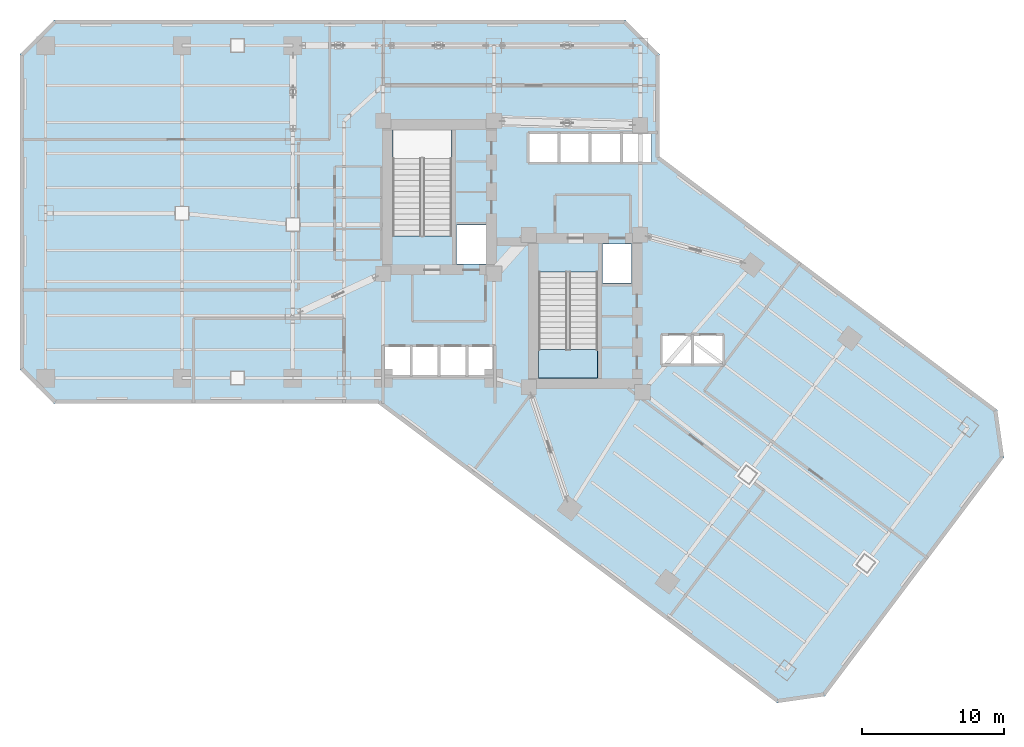
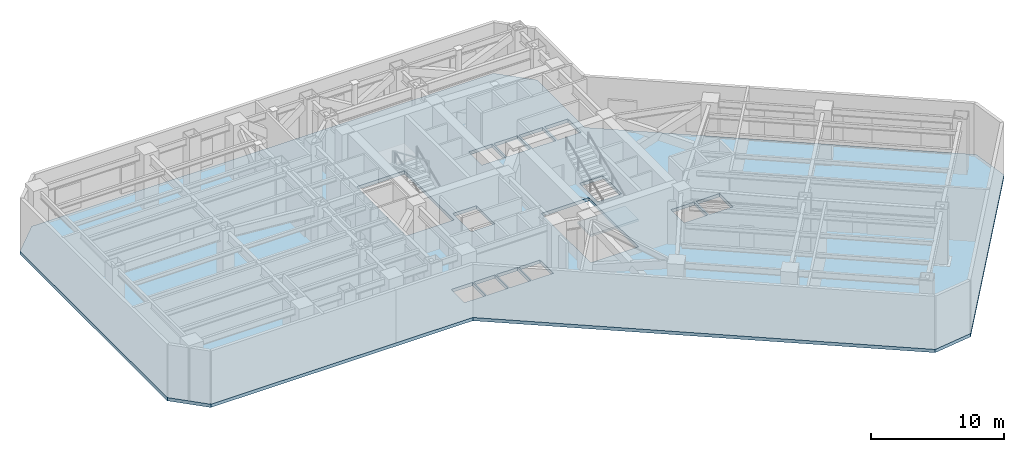
# One storey, part 5 of 16: 2 slabs, 1 element without a shape of its own.
"""IFC4 building model written with IfcOpenShell, lengths in metres."""

from ifc_helpers import new_model, si_unit, direction, frame, origin, place, context, subcontext, project, spatial, polyline, outline, extrude, material, layer, layer_set, type_object, element, aggregate, save


model = new_model("IFC4")

# Units and contexts
model_context = context("Model", 3, precision=1e-05, world=origin(), true_north=direction((0.0, 1.0)))
body_context = subcontext(model_context, "Body", "Model", "MODEL_VIEW")
ifc_project = project(units=[si_unit("LENGTHUNIT", "METRE"), si_unit("AREAUNIT", "SQUARE_METRE"), si_unit("VOLUMEUNIT", "CUBIC_METRE"), si_unit("PLANEANGLEUNIT", "RADIAN"), si_unit("MASSUNIT", "GRAM", prefix="KILO")], contexts=[model_context])

# Site, building, storey
site_placement = place(None, origin())
site = spatial("IfcSite", under=ifc_project, at=site_placement, CompositionType="ELEMENT")
building_placement = place(site_placement, origin())
building = spatial("IfcBuilding", under=site, at=building_placement, Name="Hatsunagi Terrace Concourse", CompositionType="ELEMENT")
storey_placement = place(building_placement, frame((0.0, 0.0, 27.0)))
storey = spatial("IfcBuildingStorey", under=building, at=storey_placement, Name="L06", CompositionType="ELEMENT", Elevation=27.0)

# Stair, slab
ifc_material_1 = material(Name="Concrete Fc42", Category="concrete")
stair_type = type_object("IfcStairType", Name="DoglegExitStair_Tower2000_30R_170", PredefinedType="HALF_TURN_STAIR", material=ifc_material_1)
stair_placement = place(storey_placement, origin())
stair = element("IfcStair", 1, at=stair_placement, inside=storey, type_object=stair_type, Name="L06 Core B Protected Exit Stair ST-B", PredefinedType="HALF_TURN_STAIR")
ifc_material_2 = material(Name="Concrete Fc42", Category="concrete")
ifc_layer_1 = layer(ifc_material_2, 0.199951171875)
ifc_layer_set_1 = layer_set([ifc_layer_1], Name="DoglegStairLanding_Tower2000")
slab_type_1 = type_object("IfcSlabType", Name="DoglegStairLanding_Tower2000", PredefinedType="LANDING", material=ifc_layer_set_1)
slab_1_placement = place(storey_placement, frame((0.0, 0.0, 2.35009765625)))
slab_1 = element("IfcSlab", 2, at=slab_1_placement, type_object=slab_type_1, Name="ST-B landing 1", PredefinedType="LANDING", context=body_context, shape_type="SweptSolid", body=[
    extrude(outline(polyline([(36.5, 27.199951171875), (36.5, 25.199951171875), (40.64990234375, 25.199951171875), (40.64990234375, 27.199951171875), (36.5, 27.199951171875)])), origin(), (0.0, 0.0, 1.0), 0.199951171875),
])
aggregate(stair, [slab_1])

# Slab
ifc_material_3 = material(Name="Concrete Fc42", Category="concrete")
ifc_layer_2 = layer(ifc_material_3, 0.300048828125)
ifc_layer_set_2 = layer_set([ifc_layer_2], Name="PodiumTransferSlab_Fc42_300")
slab_type_2 = type_object("IfcSlabType", Name="PodiumTransferSlab_Fc42_300", PredefinedType="FLOOR", material=ifc_layer_set_2)
slab_2_placement = place(storey_placement, frame((0.0, 0.0, -0.300048828125)))
element("IfcSlab", 3, at=slab_2_placement, inside=storey, type_object=slab_type_2, Name="Floor Slab SL-300 L06", PredefinedType="FLOOR", context=body_context, shape_type="SweptSolid", body=[
    extrude(outline(polyline([(45.0, 40.800048828125), (45.0, 48.0), (42.60009765625, 50.39990234375), (2.39990234375, 50.39990234375), (0.0, 48.0), (0.0, 25.800048828125), (2.39990234375, 23.39990234375), (25.199951171875, 23.39990234375), (53.280029296875, 2.340087890625), (56.639892578125, 2.820068359375), (69.239990234375, 19.6201171875), (68.760009765625, 22.97998046875), (45.0, 40.800048828125)]), holes=[polyline([(26.22998046875, 35.205078125), (30.3798828125, 35.205078125), (30.3798828125, 42.659912109375), (26.22998046875, 42.659912109375), (26.22998046875, 35.205078125)]), polyline([(36.5, 25.199951171875), (40.64990234375, 25.199951171875), (40.64990234375, 32.655029296875), (36.5, 32.655029296875), (36.5, 25.199951171875)]), polyline([(30.719970703125, 33.219970703125), (32.780029296875, 33.219970703125), (32.780029296875, 35.97998046875), (30.719970703125, 35.97998046875), (30.719970703125, 33.219970703125)]), polyline([(40.97998046875, 31.8798828125), (43.02001953125, 31.8798828125), (43.02001953125, 34.639892578125), (40.97998046875, 34.639892578125), (40.97998046875, 31.8798828125)]), polyline([(25.6201171875, 25.39990234375), (27.47998046875, 25.39990234375), (27.47998046875, 27.39990234375), (25.6201171875, 27.39990234375), (25.6201171875, 25.39990234375)]), polyline([(27.580078125, 25.39990234375), (29.43994140625, 25.39990234375), (29.43994140625, 27.39990234375), (27.580078125, 27.39990234375), (27.580078125, 25.39990234375)]), polyline([(29.5400390625, 25.39990234375), (31.39990234375, 25.39990234375), (31.39990234375, 27.39990234375), (29.5400390625, 27.39990234375), (29.5400390625, 25.39990234375)]), polyline([(31.5, 25.39990234375), (33.360107421875, 25.39990234375), (33.360107421875, 27.39990234375), (31.5, 27.39990234375), (31.5, 25.39990234375)]), polyline([(35.800048828125, 40.39990234375), (37.85009765625, 40.39990234375), (37.85009765625, 42.39990234375), (35.800048828125, 42.39990234375), (35.800048828125, 40.39990234375)]), polyline([(38.0, 40.39990234375), (40.050048828125, 40.39990234375), (40.050048828125, 42.39990234375), (38.0, 42.39990234375), (38.0, 40.39990234375)]), polyline([(40.199951171875, 40.39990234375), (42.25, 40.39990234375), (42.25, 42.39990234375), (40.199951171875, 42.39990234375), (40.199951171875, 40.39990234375)]), polyline([(42.39990234375, 40.39990234375), (44.449951171875, 40.39990234375), (44.449951171875, 42.39990234375), (42.39990234375, 42.39990234375), (42.39990234375, 40.39990234375)]), polyline([(45.199951171875, 26.199951171875), (47.25, 26.199951171875), (47.25, 28.199951171875), (45.199951171875, 28.199951171875), (45.199951171875, 26.199951171875)]), polyline([(47.39990234375, 26.199951171875), (49.449951171875, 26.199951171875), (49.449951171875, 28.199951171875), (47.39990234375, 28.199951171875), (47.39990234375, 26.199951171875)])]), origin(), (0.0, 0.0, 1.0), 0.300048828125),
])

save(model, "model.ifc")
